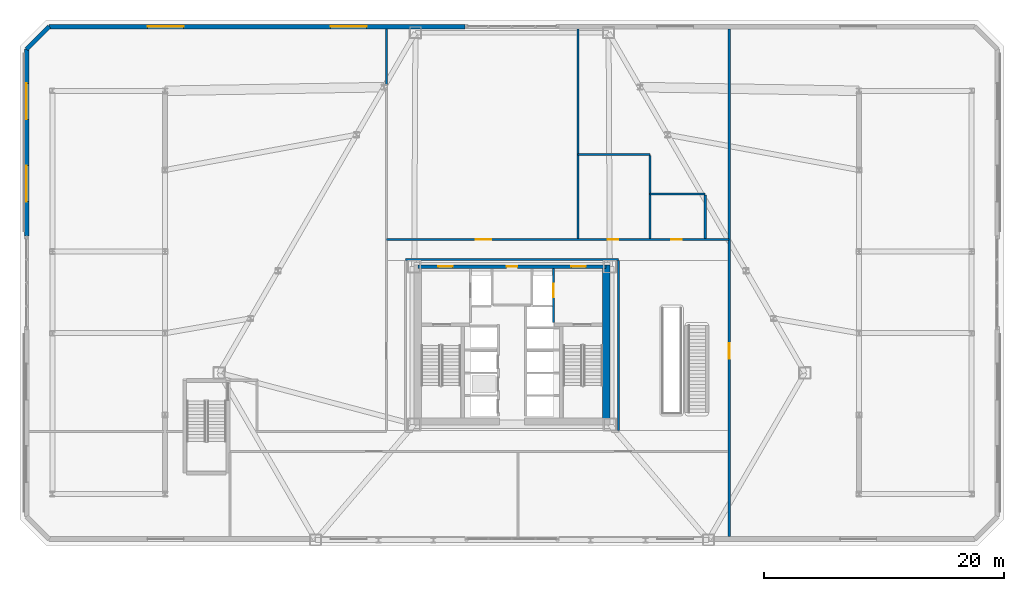
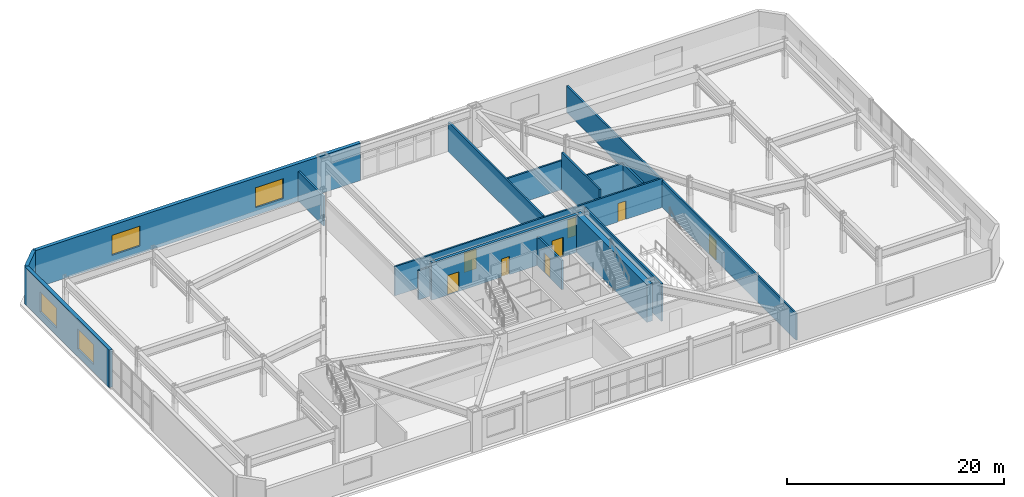
# One storey, part 15 of 21: 16 walls, 8 doors, 4 windows, 12 openings.
"""IFC4 building model written with IfcOpenShell, lengths in metres."""

from ifc_helpers import new_model, si_unit, direction, frame, frame_2d, origin, place, context, subcontext, project, spatial, rectangle, extrude, material, layer, layer_set, type_object, element, fill, save


model = new_model("IFC4")

# Units and contexts
model_context = context("Model", 3, precision=1e-05, world=origin(), true_north=direction((0.0, 1.0)))
body_context = subcontext(model_context, "Body", "Model", "MODEL_VIEW")
ifc_project = project(units=[si_unit("LENGTHUNIT", "METRE"), si_unit("AREAUNIT", "SQUARE_METRE"), si_unit("VOLUMEUNIT", "CUBIC_METRE"), si_unit("PLANEANGLEUNIT", "RADIAN"), si_unit("MASSUNIT", "GRAM", prefix="KILO")], contexts=[model_context])

# Site, building, storey
site_placement = place(None, origin())
site = spatial("IfcSite", under=ifc_project, at=site_placement, CompositionType="ELEMENT")
building_placement = place(site_placement, origin())
building = spatial("IfcBuilding", under=site, at=building_placement, Name="Oramaril Tower", CompositionType="ELEMENT")
storey_placement = place(building_placement, frame((0.0, 0.0, 5.39990234375)))
storey = spatial("IfcBuildingStorey", under=building, at=storey_placement, Name="L01", CompositionType="ELEMENT", Elevation=5.39990234375)

# Wall, openings, windows
ifc_material_1 = material(Name="Warm Cream Limestone", Category="masonry")
ifc_layer_1 = layer(ifc_material_1, 0.3798828125)
ifc_layer_set_1 = layer_set([ifc_layer_1], Name="WT-EXT38")
wall_type_1 = type_object("IfcWallType", Name="WT-EXT38", PredefinedType="SOLIDWALL", material=ifc_layer_set_1)
wall_1_placement = place(storey_placement, frame((33.60009765625, 44.14990234375, 0.0), z_axis=(0.0, 0.0, 1.0), x_axis=(-1.0, 0.0, 0.0)))
wall_1 = element("IfcWall", 1, at=wall_1_placement, inside=storey, type_object=wall_type_1, Name="L01 Limestone Facade Wall EW-5B", PredefinedType="SOLIDWALL", context=body_context, shape_type="SweptSolid", body=[
    extrude(rectangle(XDim=34.67236328125, YDim=0.3798828125, at=frame_2d((17.336181640625, 0.0))), origin(), (0.0, 0.0, 1.0), 4.22021484375),
])
opening_1_placement = place(wall_1_placement, frame((8.208251953125, 0.0, 0.85009765625)))
opening_1 = element("IfcOpeningElement", 2, at=opening_1_placement, cuts=wall_1, Name="Opening WN-10", PredefinedType="OPENING", context=body_context, shape_type="SweptSolid", body=[
    extrude(rectangle(XDim=3.0, YDim=2.25, at=frame_2d((1.5, 1.125))), frame((0.0, 0.18994140625, 0.0), z_axis=(0.0, -1.0, 0.0), x_axis=(1.0, 0.0, 0.0)), (0.0, 0.0, 1.0), 0.3798828125),
])
opening_2_placement = place(wall_1_placement, frame((23.464111328125, 0.0, 0.85009765625)))
opening_2 = element("IfcOpeningElement", 3, at=opening_2_placement, cuts=wall_1, Name="Opening WN-10", PredefinedType="OPENING", context=body_context, shape_type="SweptSolid", body=[
    extrude(rectangle(XDim=3.0, YDim=2.25, at=frame_2d((1.5, 1.125))), frame((0.0, 0.18994140625, 0.0), z_axis=(0.0, -1.0, 0.0), x_axis=(1.0, 0.0, 0.0)), (0.0, 0.0, 1.0), 0.3798828125),
])
ifc_material_2 = material(Name="Coastal Low-E Insulated Glass", Category="glass")
window_type = type_object("IfcWindowType", Name="WNT-10", PartitioningType="SINGLE_PANEL", PredefinedType="WINDOW", material=ifc_material_2)
window_1_placement = place(opening_1_placement, origin())
window_1 = element("IfcWindow", 4, at=window_1_placement, inside=storey, type_object=window_type, Name="L01 Podium Chicago Window", OverallHeight=2.25, OverallWidth=3.0, PartitioningType="SINGLE_PANEL", PredefinedType="WINDOW", context=body_context, shape_type="SweptSolid", body=[
    extrude(rectangle(XDim=3.0, YDim=2.25, at=frame_2d((1.5, 1.125))), frame((0.0, 0.030029296875, 0.0), z_axis=(0.0, -1.0, 0.0), x_axis=(1.0, 0.0, 0.0)), (0.0, 0.0, 1.0), 0.06005859375),
])
fill(opening_1, window_1)
window_2_placement = place(opening_2_placement, origin())
window_2 = element("IfcWindow", 5, at=window_2_placement, inside=storey, type_object=window_type, Name="L01 Podium Chicago Window", OverallHeight=2.25, OverallWidth=3.0, PartitioningType="SINGLE_PANEL", PredefinedType="WINDOW", context=body_context, shape_type="SweptSolid", body=[
    extrude(rectangle(XDim=3.0, YDim=2.25, at=frame_2d((1.5, 1.125))), frame((0.0, 0.030029296875, 0.0), z_axis=(0.0, -1.0, 0.0), x_axis=(1.0, 0.0, 0.0)), (0.0, 0.0, 1.0), 0.06005859375),
])
fill(opening_2, window_2)

# Wall
wall_2_placement = place(storey_placement, frame((-1.072265625, 44.14990234375, 0.0), z_axis=(0.0, 0.0, 1.0), x_axis=(-0.707106781187, -0.707106781187, 0.0)))
element("IfcWall", 6, at=wall_2_placement, inside=storey, type_object=wall_type_1, Name="L01 Limestone Facade Wall EW-6M", PredefinedType="SOLIDWALL", context=body_context, shape_type="SweptSolid", body=[
    extrude(rectangle(XDim=2.655517578125, YDim=0.3798828125, at=frame_2d((1.32763671875, 0.0))), origin(), (0.0, 0.0, 1.0), 4.22021484375),
])

# Wall, openings, windows
wall_3_placement = place(storey_placement, frame((-2.949951171875, 42.272216796875, 0.0), z_axis=(0.0, 0.0, 1.0), x_axis=(0.0, -1.0, 0.0)))
wall_3 = element("IfcWall", 7, at=wall_3_placement, inside=storey, type_object=wall_type_1, Name="L01 Limestone Facade Wall EW-7A", PredefinedType="SOLIDWALL", context=body_context, shape_type="SweptSolid", body=[
    extrude(rectangle(XDim=15.572265625, YDim=0.3798828125, at=frame_2d((7.7861328125, 0.0))), origin(), (0.0, 0.0, 1.0), 4.22021484375),
])
opening_3_placement = place(wall_3_placement, frame((2.860107421875, 0.0, 0.85009765625)))
opening_3 = element("IfcOpeningElement", 8, at=opening_3_placement, cuts=wall_3, Name="Opening WN-10", PredefinedType="OPENING", context=body_context, shape_type="SweptSolid", body=[
    extrude(rectangle(XDim=3.0, YDim=2.25, at=frame_2d((1.5, 1.125))), frame((0.0, 0.18994140625, 0.0), z_axis=(0.0, -1.0, 0.0), x_axis=(1.0, 0.0, 0.0)), (0.0, 0.0, 1.0), 0.3798828125),
])
opening_4_placement = place(wall_3_placement, frame((9.7119140625, 0.0, 0.85009765625)))
opening_4 = element("IfcOpeningElement", 9, at=opening_4_placement, cuts=wall_3, Name="Opening WN-10", PredefinedType="OPENING", context=body_context, shape_type="SweptSolid", body=[
    extrude(rectangle(XDim=3.0, YDim=2.25, at=frame_2d((1.5, 1.125))), frame((0.0, 0.18994140625, 0.0), z_axis=(0.0, -1.0, 0.0), x_axis=(1.0, 0.0, 0.0)), (0.0, 0.0, 1.0), 0.3798828125),
])
window_3_placement = place(opening_3_placement, origin())
window_3 = element("IfcWindow", 10, at=window_3_placement, inside=storey, type_object=window_type, Name="L01 Podium Chicago Window", OverallHeight=2.25, OverallWidth=3.0, PartitioningType="SINGLE_PANEL", PredefinedType="WINDOW", context=body_context, shape_type="SweptSolid", body=[
    extrude(rectangle(XDim=3.0, YDim=2.25, at=frame_2d((1.5, 1.125))), frame((0.0, 0.030029296875, 0.0), z_axis=(0.0, -1.0, 0.0), x_axis=(1.0, 0.0, 0.0)), (0.0, 0.0, 1.0), 0.06005859375),
])
fill(opening_3, window_3)
window_4_placement = place(opening_4_placement, origin())
window_4 = element("IfcWindow", 11, at=window_4_placement, inside=storey, type_object=window_type, Name="L01 Podium Chicago Window", OverallHeight=2.25, OverallWidth=3.0, PartitioningType="SINGLE_PANEL", PredefinedType="WINDOW", context=body_context, shape_type="SweptSolid", body=[
    extrude(rectangle(XDim=3.0, YDim=2.25, at=frame_2d((1.5, 1.125))), frame((0.0, 0.030029296875, 0.0), z_axis=(0.0, -1.0, 0.0), x_axis=(1.0, 0.0, 0.0)), (0.0, 0.0, 1.0), 0.06005859375),
])
fill(opening_4, window_4)

# Wall
ifc_material_3 = material(Name="Autoclaved Cellular Concrete Block", Category="concrete")
ifc_layer_2 = layer(ifc_material_3, 0.179931640625)
ifc_layer_set_2 = layer_set([ifc_layer_2], Name="WT-PT18")
wall_type_2 = type_object("IfcWallType", Name="WT-PT18", PredefinedType="PARTITIONING", material=ifc_layer_set_2)
wall_4_placement = place(storey_placement, frame((28.6201171875, 24.75, 0.0), z_axis=(0.0, 0.0, 1.0), x_axis=(1.0, 0.0, 0.0)))
element("IfcWall", 12, at=wall_4_placement, inside=storey, type_object=wall_type_2, Name="L01 Interior Partition PT-18", PredefinedType="PARTITIONING", context=body_context, shape_type="SweptSolid", body=[
    extrude(rectangle(XDim=17.759765625, YDim=0.179931640625, at=frame_2d((8.8798828125, 0.0))), origin(), (0.0, 0.0, 1.0), 3.283203125),
])

# Wall, openings, doors
wall_5_placement = place(storey_placement, frame((27.050048828125, 26.39990234375, 0.0), z_axis=(0.0, 0.0, 1.0), x_axis=(1.0, 0.0, 0.0)))
wall_5 = element("IfcWall", 13, at=wall_5_placement, inside=storey, type_object=wall_type_2, Name="L01 Interior Partition PT-18", PredefinedType="PARTITIONING", context=body_context, shape_type="SweptSolid", body=[
    extrude(rectangle(XDim=28.550048828125, YDim=0.179931640625, at=frame_2d((14.27490234375, 0.0))), origin(), (0.0, 0.0, 1.0), 3.283203125),
])
opening_5_placement = place(wall_5_placement, frame((7.42529296875, 0.0, 0.0)))
opening_5 = element("IfcOpeningElement", 14, at=opening_5_placement, cuts=wall_5, Name="Opening D-L01-03", PredefinedType="OPENING", context=body_context, shape_type="SweptSolid", body=[
    extrude(rectangle(XDim=1.300048828125, YDim=2.199951171875, at=frame_2d((0.64990234375, 1.10009765625))), frame((0.0, 0.08984375, 0.0), z_axis=(0.0, -1.0, 0.0), x_axis=(1.0, 0.0, 0.0)), (0.0, 0.0, 1.0), 0.179931640625),
])
opening_6_placement = place(wall_5_placement, frame((18.43701171875, 0.0, 0.0)))
opening_6 = element("IfcOpeningElement", 15, at=opening_6_placement, cuts=wall_5, Name="Opening D-L01-04", PredefinedType="OPENING", context=body_context, shape_type="SweptSolid", body=[
    extrude(rectangle(XDim=0.8798828125, YDim=2.080078125, at=frame_2d((0.43994140625, 1.0400390625))), frame((0.0, 0.08984375, 0.0), z_axis=(0.0, -1.0, 0.0), x_axis=(1.0, 0.0, 0.0)), (0.0, 0.0, 1.0), 0.179931640625),
])
opening_7_placement = place(wall_5_placement, frame((23.735595703125, 0.0, 0.0)))
opening_7 = element("IfcOpeningElement", 16, at=opening_7_placement, cuts=wall_5, Name="Opening D-L01-05", PredefinedType="OPENING", context=body_context, shape_type="SweptSolid", body=[
    extrude(rectangle(XDim=0.8798828125, YDim=2.080078125, at=frame_2d((0.43994140625, 1.0400390625))), frame((0.0, 0.08984375, 0.0), z_axis=(0.0, -1.0, 0.0), x_axis=(1.0, 0.0, 0.0)), (0.0, 0.0, 1.0), 0.179931640625),
])
ifc_material_4 = material(Name="FSC Brazilian Freijo Hardwood", Category="wood")
door_type_1 = type_object("IfcDoorType", Name="DT-BATH", OperationType="NOTDEFINED", PredefinedType="DOOR", material=ifc_material_4)
door_1_placement = place(opening_6_placement, origin())
door_1 = element("IfcDoor", 17, at=door_1_placement, inside=storey, type_object=door_type_1, Name="L01 L01 Male WC Door D-L01-04", OperationType="SINGLE_SWING_RIGHT", OverallHeight=2.080078125, OverallWidth=0.8798828125, PredefinedType="DOOR", context=body_context, shape_type="SweptSolid", body=[
    extrude(rectangle(XDim=0.8798828125, YDim=2.080078125, at=frame_2d((0.43994140625, 1.0400390625))), frame((0.0, 0.02490234375, 0.0), z_axis=(0.0, -1.0, 0.0), x_axis=(1.0, 0.0, 0.0)), (0.0, 0.0, 1.0), 0.050048828125),
])
fill(opening_6, door_1)
door_2_placement = place(opening_7_placement, origin())
door_2 = element("IfcDoor", 18, at=door_2_placement, inside=storey, type_object=door_type_1, Name="L01 L01 Accessible WC Door D-L01-05", OperationType="SINGLE_SWING_LEFT", OverallHeight=2.080078125, OverallWidth=0.8798828125, PredefinedType="DOOR", context=body_context, shape_type="SweptSolid", body=[
    extrude(rectangle(XDim=0.8798828125, YDim=2.080078125, at=frame_2d((0.43994140625, 1.0400390625))), frame((0.0, 0.02490234375, 0.0), z_axis=(0.0, -1.0, 0.0), x_axis=(1.0, 0.0, 0.0)), (0.0, 0.0, 1.0), 0.050048828125),
])
fill(opening_7, door_2)
ifc_material_5 = material(Name="FSC Brazilian Freijo Hardwood", Category="wood")
door_type_2 = type_object("IfcDoorType", Name="DT-COM", OperationType="NOTDEFINED", PredefinedType="DOOR", material=ifc_material_5)
door_3_placement = place(opening_5_placement, origin())
door_3 = element("IfcDoor", 19, at=door_3_placement, inside=storey, type_object=door_type_2, Name="L01 L01 Media and Reading Gallery Door D-L01-03", OperationType="SINGLE_SWING_LEFT", OverallHeight=2.199951171875, OverallWidth=1.300048828125, PredefinedType="DOOR", context=body_context, shape_type="SweptSolid", body=[
    extrude(rectangle(XDim=1.300048828125, YDim=2.199951171875, at=frame_2d((0.64990234375, 1.10009765625))), frame((0.0, 0.02490234375, 0.0), z_axis=(0.0, -1.0, 0.0), x_axis=(1.0, 0.0, 0.0)), (0.0, 0.0, 1.0), 0.050048828125),
])
fill(opening_5, door_3)

# Walls
wall_6_placement = place(storey_placement, frame((49.0, 30.199951171875, 0.0), z_axis=(0.0, 0.0, 1.0), x_axis=(1.0, 0.0, 0.0)))
element("IfcWall", 20, at=wall_6_placement, inside=storey, type_object=wall_type_2, Name="L01 Interior Partition PT-18", PredefinedType="PARTITIONING", context=body_context, shape_type="SweptSolid", body=[
    extrude(rectangle(XDim=4.60009765625, YDim=0.179931640625, at=frame_2d((2.300048828125, 0.0))), origin(), (0.0, 0.0, 1.0), 3.35400390625),
])
wall_7_placement = place(storey_placement, frame((43.0, 33.5, 0.0), z_axis=(0.0, 0.0, 1.0), x_axis=(1.0, 0.0, 0.0)))
element("IfcWall", 21, at=wall_7_placement, inside=storey, type_object=wall_type_2, Name="L01 Interior Partition PT-18", PredefinedType="PARTITIONING", context=body_context, shape_type="SweptSolid", body=[
    extrude(rectangle(XDim=6.0, YDim=0.179931640625, at=frame_2d((3.0, 0.0))), origin(), (0.0, 0.0, 1.0), 3.283203125),
])
wall_8_placement = place(storey_placement, frame((27.050048828125, 39.33154296875, 0.0), z_axis=(0.0, 0.0, 1.0), x_axis=(0.0, 1.0, 0.0)))
element("IfcWall", 22, at=wall_8_placement, inside=storey, type_object=wall_type_2, Name="L01 Interior Partition PT-18", PredefinedType="PARTITIONING", context=body_context, shape_type="SweptSolid", body=[
    extrude(rectangle(XDim=4.62451171875, YDim=0.179931640625, at=frame_2d((2.312255859375, 0.0))), origin(), (0.0, 0.0, 1.0), 3.35400390625),
])
wall_9_placement = place(storey_placement, frame((43.0, 26.493896484375, 0.0), z_axis=(0.0, 0.0, 1.0), x_axis=(0.0, 1.0, 0.0)))
element("IfcWall", 23, at=wall_9_placement, inside=storey, type_object=wall_type_2, Name="L01 Interior Partition PT-18", PredefinedType="PARTITIONING", context=body_context, shape_type="SweptSolid", body=[
    extrude(rectangle(XDim=17.462158203125, YDim=0.179931640625, at=frame_2d((8.73095703125, 0.0))), origin(), (0.0, 0.0, 1.0), 3.35400390625),
])
wall_10_placement = place(storey_placement, frame((46.3798828125, 10.493896484375, 0.0), z_axis=(0.0, 0.0, 1.0), x_axis=(0.0, 1.0, 0.0)))
element("IfcWall", 24, at=wall_10_placement, inside=storey, type_object=wall_type_2, Name="L01 Interior Partition PT-18", PredefinedType="PARTITIONING", context=body_context, shape_type="SweptSolid", body=[
    extrude(rectangle(XDim=14.162109375, YDim=0.179931640625, at=frame_2d((7.0810546875, 0.0))), origin(), (0.0, 0.0, 1.0), 4.22021484375),
])
wall_11_placement = place(storey_placement, frame((49.0, 26.493896484375, 0.0), z_axis=(0.0, 0.0, 1.0), x_axis=(0.0, 1.0, 0.0)))
element("IfcWall", 25, at=wall_11_placement, inside=storey, type_object=wall_type_2, Name="L01 Interior Partition PT-18", PredefinedType="PARTITIONING", context=body_context, shape_type="SweptSolid", body=[
    extrude(rectangle(XDim=6.912109375, YDim=0.179931640625, at=frame_2d((3.4560546875, 0.0))), origin(), (0.0, 0.0, 1.0), 4.22021484375),
])
wall_12_placement = place(storey_placement, frame((53.60009765625, 26.493896484375, 0.0), z_axis=(0.0, 0.0, 1.0), x_axis=(0.0, 1.0, 0.0)))
element("IfcWall", 26, at=wall_12_placement, inside=storey, type_object=wall_type_2, Name="L01 Interior Partition PT-18", PredefinedType="PARTITIONING", context=body_context, shape_type="SweptSolid", body=[
    extrude(rectangle(XDim=3.612060546875, YDim=0.179931640625, at=frame_2d((1.80615234375, 0.0))), origin(), (0.0, 0.0, 1.0), 3.35400390625),
])

# Wall, opening, door
wall_13_placement = place(storey_placement, frame((55.60009765625, 1.64404296875, 0.0), z_axis=(0.0, 0.0, 1.0), x_axis=(0.0, 1.0, 0.0)))
wall_13 = element("IfcWall", 27, at=wall_13_placement, inside=storey, type_object=wall_type_2, Name="L01 Interior Partition PT-18", PredefinedType="PARTITIONING", context=body_context, shape_type="SweptSolid", body=[
    extrude(rectangle(XDim=42.31201171875, YDim=0.179931640625, at=frame_2d((21.156005859375, 0.0))), origin(), (0.0, 0.0, 1.0), 3.010009765625),
])
opening_8_placement = place(wall_13_placement, frame((14.83544921875, 0.0, 0.0)))
opening_8 = element("IfcOpeningElement", 28, at=opening_8_placement, cuts=wall_13, Name="Opening D-L01-07", PredefinedType="OPENING", context=body_context, shape_type="SweptSolid", body=[
    extrude(rectangle(XDim=1.300048828125, YDim=2.199951171875, at=frame_2d((0.64990234375, 1.10009765625))), frame((0.0, 0.08984375, 0.0), z_axis=(0.0, -1.0, 0.0), x_axis=(1.0, 0.0, 0.0)), (0.0, 0.0, 1.0), 0.179931640625),
])
door_4_placement = place(opening_8_placement, origin())
door_4 = element("IfcDoor", 29, at=door_4_placement, inside=storey, type_object=door_type_2, Name="L01 L01 East Architecture Studio Hall Door D-L01-07", OperationType="SINGLE_SWING_LEFT", OverallHeight=2.199951171875, OverallWidth=1.300048828125, PredefinedType="DOOR", context=body_context, shape_type="SweptSolid", body=[
    extrude(rectangle(XDim=1.300048828125, YDim=2.199951171875, at=frame_2d((0.64990234375, 1.10009765625))), frame((0.0, 0.02490234375, 0.0), z_axis=(0.0, -1.0, 0.0), x_axis=(1.0, 0.0, 0.0)), (0.0, 0.0, 1.0), 0.050048828125),
])
fill(opening_8, door_4)

# Wall, openings, doors
ifc_material_6 = material(Name="Concrete C50/60", Category="concrete")
ifc_layer_3 = layer(ifc_material_6, 0.300048828125)
ifc_layer_set_3 = layer_set([ifc_layer_3], Name="WT-SH30")
wall_type_3 = type_object("IfcWallType", Name="WT-SH30", PredefinedType="SHEAR", material=ifc_layer_set_3)
wall_14_placement = place(storey_placement, frame((29.64990234375, 24.14990234375, 0.0), z_axis=(0.0, 0.0, 1.0), x_axis=(1.0, 0.0, 0.0)))
wall_14 = element("IfcWall", 30, at=wall_14_placement, inside=storey, type_object=wall_type_3, Name="L01 Core Shear Wall CW-N", PredefinedType="SHEAR", context=body_context, shape_type="SweptSolid", body=[
    extrude(rectangle(XDim=15.7001953125, YDim=0.300048828125, at=frame_2d((7.85009765625, 0.0))), origin(), (0.0, 0.0, 1.0), 4.22021484375),
])
opening_9_placement = place(wall_14_placement, frame((1.699951171875, 0.0, 0.0)))
opening_9 = element("IfcOpeningElement", 31, at=opening_9_placement, cuts=wall_14, Name="Opening D-L01-FFL1", PredefinedType="OPENING", context=body_context, shape_type="SweptSolid", body=[
    extrude(rectangle(XDim=1.199951171875, YDim=2.199951171875, at=frame_2d((0.60009765625, 1.10009765625))), frame((0.0, 0.14990234375, 0.0), z_axis=(0.0, -1.0, 0.0), x_axis=(1.0, 0.0, 0.0)), (0.0, 0.0, 1.0), 0.300048828125),
])
opening_10_placement = place(wall_14_placement, frame((12.800048828125, 0.0, 0.0)))
opening_10 = element("IfcOpeningElement", 32, at=opening_10_placement, cuts=wall_14, Name="Opening D-L01-FFL2", PredefinedType="OPENING", context=body_context, shape_type="SweptSolid", body=[
    extrude(rectangle(XDim=1.199951171875, YDim=2.199951171875, at=frame_2d((0.60009765625, 1.10009765625))), frame((0.0, 0.14990234375, 0.0), z_axis=(0.0, -1.0, 0.0), x_axis=(1.0, 0.0, 0.0)), (0.0, 0.0, 1.0), 0.300048828125),
])
opening_11_placement = place(wall_14_placement, frame((7.39990234375, 0.0, 0.0)))
opening_11 = element("IfcOpeningElement", 33, at=opening_11_placement, cuts=wall_14, Name="Opening D-L01-SV1", PredefinedType="OPENING", context=body_context, shape_type="SweptSolid", body=[
    extrude(rectangle(XDim=0.89990234375, YDim=2.050048828125, at=frame_2d((0.449951171875, 1.02490234375))), frame((0.0, 0.14990234375, 0.0), z_axis=(0.0, -1.0, 0.0), x_axis=(1.0, 0.0, 0.0)), (0.0, 0.0, 1.0), 0.300048828125),
])
ifc_material_7 = material(Name="Painted Galvanised Steel", Category="steel")
door_type_3 = type_object("IfcDoorType", Name="DT-FFL", OperationType="NOTDEFINED", PredefinedType="DOOR", material=ifc_material_7)
door_5_placement = place(opening_9_placement, origin())
door_5 = element("IfcDoor", 34, at=door_5_placement, inside=storey, type_object=door_type_3, Name="L01 Firefighting Lobby 1 Fire Door", OperationType="SINGLE_SWING_LEFT", OverallHeight=2.199951171875, OverallWidth=1.199951171875, PredefinedType="DOOR", context=body_context, shape_type="SweptSolid", body=[
    extrude(rectangle(XDim=1.199951171875, YDim=2.199951171875, at=frame_2d((0.60009765625, 1.10009765625))), frame((0.0, 0.02490234375, 0.0), z_axis=(0.0, -1.0, 0.0), x_axis=(1.0, 0.0, 0.0)), (0.0, 0.0, 1.0), 0.050048828125),
])
fill(opening_9, door_5)
door_6_placement = place(opening_10_placement, origin())
door_6 = element("IfcDoor", 35, at=door_6_placement, inside=storey, type_object=door_type_3, Name="L01 Firefighting Lobby 2 Fire Door", OperationType="SINGLE_SWING_RIGHT", OverallHeight=2.199951171875, OverallWidth=1.199951171875, PredefinedType="DOOR", context=body_context, shape_type="SweptSolid", body=[
    extrude(rectangle(XDim=1.199951171875, YDim=2.199951171875, at=frame_2d((0.60009765625, 1.10009765625))), frame((0.0, 0.02490234375, 0.0), z_axis=(0.0, -1.0, 0.0), x_axis=(1.0, 0.0, 0.0)), (0.0, 0.0, 1.0), 0.050048828125),
])
fill(opening_10, door_6)
ifc_material_8 = material(Name="Painted Galvanised Steel", Category="steel")
door_type_4 = type_object("IfcDoorType", Name="DT-SVC", OperationType="NOTDEFINED", PredefinedType="DOOR", material=ifc_material_8)
door_7_placement = place(opening_11_placement, origin())
door_7 = element("IfcDoor", 36, at=door_7_placement, inside=storey, type_object=door_type_4, Name="L01 Core Janitor Store Door", OperationType="SINGLE_SWING_LEFT", OverallHeight=2.050048828125, OverallWidth=0.89990234375, PredefinedType="DOOR", context=body_context, shape_type="SweptSolid", body=[
    extrude(rectangle(XDim=0.89990234375, YDim=2.050048828125, at=frame_2d((0.449951171875, 1.02490234375))), frame((0.0, 0.02490234375, 0.0), z_axis=(0.0, -1.0, 0.0), x_axis=(1.0, 0.0, 0.0)), (0.0, 0.0, 1.0), 0.050048828125),
])
fill(opening_11, door_7)

# Wall
ifc_material_9 = material(Name="Concrete C50/60", Category="concrete")
ifc_layer_4 = layer(ifc_material_9, 0.60009765625)
ifc_layer_set_4 = layer_set([ifc_layer_4], Name="WT-SH60")
wall_type_4 = type_object("IfcWallType", Name="WT-SH60", PredefinedType="SHEAR", material=ifc_layer_set_4)
wall_15_placement = place(storey_placement, frame((45.360107421875, 11.0, 0.0), z_axis=(0.0, 0.0, 1.0), x_axis=(0.0, 1.0, 0.0)))
element("IfcWall", 37, at=wall_15_placement, inside=storey, type_object=wall_type_4, Name="L01 Core Shear Wall CW-E", PredefinedType="SHEAR", context=body_context, shape_type="SweptSolid", body=[
    extrude(rectangle(XDim=13.300048828125, YDim=0.60009765625, at=frame_2d((6.64990234375, 0.0))), origin(), (0.0, 0.0, 1.0), 4.22021484375),
])

# Wall, opening, door
ifc_material_10 = material(Name="Autoclaved Cellular Concrete Block", Category="concrete")
ifc_layer_5 = layer(ifc_material_10, 0.199951171875)
ifc_layer_set_5 = layer_set([ifc_layer_5], Name="WT-SHF20")
wall_type_5 = type_object("IfcWallType", Name="WT-SHF20", PredefinedType="PARTITIONING", material=ifc_layer_set_5)
wall_16_placement = place(storey_placement, frame((40.9599609375, 19.47998046875, 0.0), z_axis=(0.0, 0.0, 1.0), x_axis=(0.0, 1.0, 0.0)))
wall_16 = element("IfcWall", 38, at=wall_16_placement, inside=storey, type_object=wall_type_5, Name="L01 FL-2 Lobby Shaft Wall", PredefinedType="PARTITIONING", context=body_context, shape_type="SweptSolid", body=[
    extrude(rectangle(XDim=4.5, YDim=0.199951171875, at=frame_2d((2.25, 0.0))), origin(), (0.0, 0.0, 1.0), 3.260009765625),
])
opening_12_placement = place(wall_16_placement, frame((2.1201171875, 0.0, 0.0)))
opening_12 = element("IfcOpeningElement", 39, at=opening_12_placement, cuts=wall_16, Name="Opening LD-L01-FL-2", PredefinedType="OPENING", context=body_context, shape_type="SweptSolid", body=[
    extrude(rectangle(XDim=1.10009765625, YDim=2.199951171875, at=frame_2d((0.550048828125, 1.10009765625))), frame((0.0, 0.10009765625, 0.0), z_axis=(0.0, -1.0, 0.0), x_axis=(1.0, 0.0, 0.0)), (0.0, 0.0, 1.0), 0.199951171875),
])
ifc_material_11 = material(Name="Stainless Steel 316L", Category="steel")
door_type_5 = type_object("IfcDoorType", Name="DT-LD1", OperationType="NOTDEFINED", PredefinedType="DOOR", material=ifc_material_11)
door_8_placement = place(opening_12_placement, origin())
door_8 = element("IfcDoor", 40, at=door_8_placement, inside=storey, type_object=door_type_5, Name="L01 Lift FL-2 Sliding Landing Door", OperationType="SLIDING_TO_RIGHT", OverallHeight=2.199951171875, OverallWidth=1.10009765625, PredefinedType="DOOR", context=body_context, shape_type="SweptSolid", body=[
    extrude(rectangle(XDim=1.10009765625, YDim=2.199951171875, at=frame_2d((0.550048828125, 1.10009765625))), frame((0.0, 0.02490234375, 0.0), z_axis=(0.0, -1.0, 0.0), x_axis=(1.0, 0.0, 0.0)), (0.0, 0.0, 1.0), 0.050048828125),
])
fill(opening_12, door_8)

save(model, "model.ifc")
